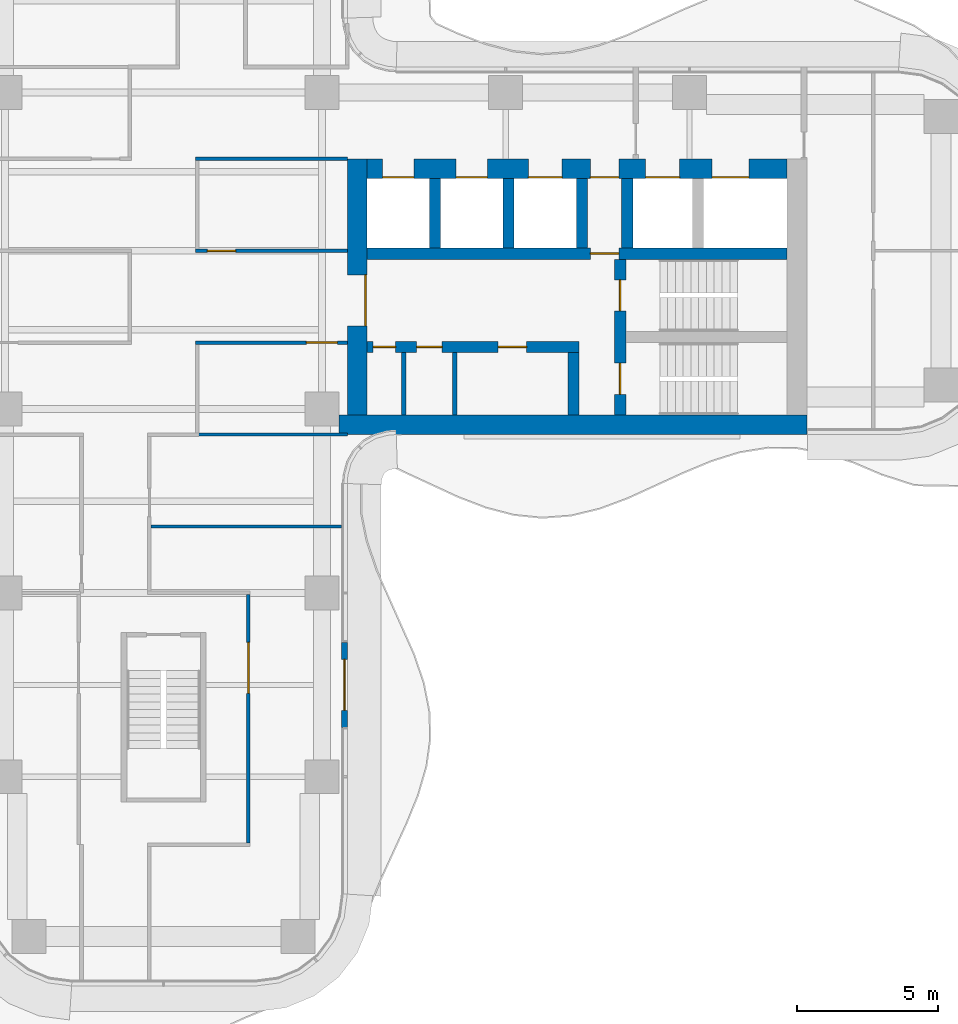
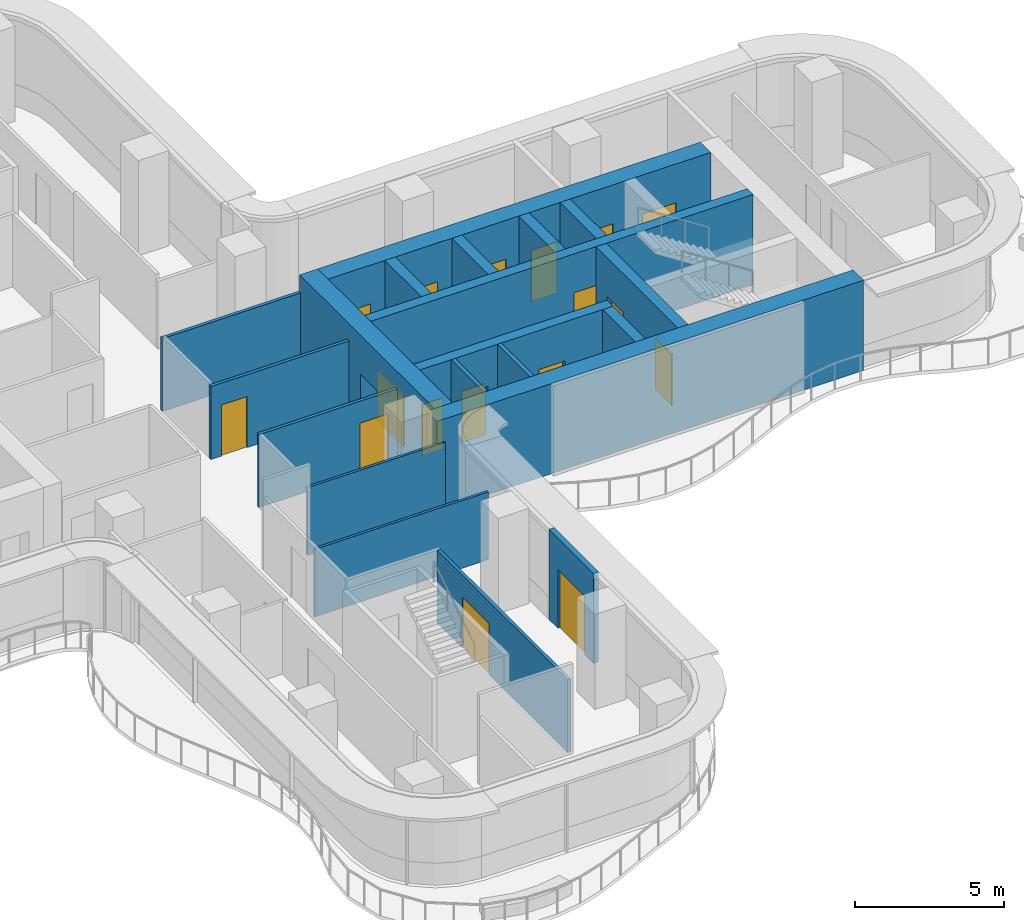
# One storey, part 14 of 18: 20 walls, 17 doors, 17 openings.
"""IFC4 building model written with IfcOpenShell, lengths in metres."""

from ifc_helpers import new_model, si_unit, direction, frame, frame_2d, origin, place, context, subcontext, project, spatial, rectangle, extrude, source, transform, mapped, material, layer, layer_set, type_object, element, fill, save


model = new_model("IFC4")

# Units and contexts
model_context = context("Model", 3, precision=1e-05, world=origin(), true_north=direction((0.0, 1.0)))
body_context = subcontext(model_context, "Body", "Model", "MODEL_VIEW")
ifc_project = project(units=[si_unit("LENGTHUNIT", "METRE"), si_unit("AREAUNIT", "SQUARE_METRE"), si_unit("VOLUMEUNIT", "CUBIC_METRE"), si_unit("PLANEANGLEUNIT", "RADIAN"), si_unit("MASSUNIT", "GRAM", prefix="KILO")], contexts=[model_context])

# Site, building, storey
site_placement = place(None, origin())
site = spatial("IfcSite", under=ifc_project, at=site_placement, CompositionType="ELEMENT")
building_placement = place(site_placement, origin())
building = spatial("IfcBuilding", under=site, at=building_placement, Name="Trellis Farm Tower", CompositionType="ELEMENT")
storey_placement = place(building_placement, frame((0.0, 0.0, 193.199951171875)))
storey = spatial("IfcBuildingStorey", under=building, at=storey_placement, Name="L42", CompositionType="ELEMENT", Elevation=193.199951171875)

# Wall, opening, door
ifc_material_1 = material(Name="Concrete C70/85", Category="concrete")
ifc_layer_1 = layer(ifc_material_1, 0.699951171875)
ifc_layer_set_1 = layer_set([ifc_layer_1], Name="CORE OUTER WALL 700 CONCRETE C70/85")
wall_type_1 = type_object("IfcWallType", Name="CORE OUTER WALL 700 CONCRETE C70/85", PredefinedType="SHEAR", material=ifc_layer_set_1)
shared_shape_1 = source(origin(), body_context, "Body", "SweptSolid", [
    extrude(rectangle(XDim=9.050048828125, YDim=0.699951171875, at=frame_2d((4.52490234375, 0.0))), origin(), (0.0, 0.0, 1.0), 3.699951171875),
])
wall_1_placement = place(storey_placement, frame((6.85009765625, -5.800048828125, 0.0), z_axis=(0.0, 0.0, 1.0), x_axis=(0.0, 1.0, 0.0)))
wall_1 = element("IfcWall", 1, at=wall_1_placement, inside=storey, type_object=wall_type_1, Name="Core wall", PredefinedType="SHEAR", context=body_context, shape_type="MappedRepresentation", body=[
    mapped(shared_shape_1, transform((0.0, 0.0, 0.0))),
])
shared_shape_2 = source(origin(), body_context, "Body", "SweptSolid", [
    extrude(rectangle(XDim=1.800048828125, YDim=2.10009765625, at=frame_2d((0.89990234375, 1.050048828125))), frame((0.0, 0.360107421875, 0.0), z_axis=(0.0, -1.0, 0.0), x_axis=(1.0, 0.0, 0.0)), (0.0, 0.0, 1.0), 0.72021484375),
])
opening_1_placement = place(wall_1_placement, frame((3.14990234375, 0.0, 0.0)))
opening_1 = element("IfcOpeningElement", 2, at=opening_1_placement, cuts=wall_1, Name="Opening DC1", PredefinedType="OPENING", context=body_context, shape_type="MappedRepresentation", body=[
    mapped(shared_shape_2, transform((0.0, 0.0, 0.0))),
])
ifc_material_2 = material(Name="Steel", Category="steel")
door_type_1 = type_object("IfcDoorType", Name="CORE FIRE DOOR DOUBLE 1800 X 2100", OperationType="DOUBLE_DOOR_SINGLE_SWING", PredefinedType="DOOR", material=ifc_material_2)
shared_shape_3 = source(origin(), body_context, "Body", "SweptSolid", [
    extrude(rectangle(XDim=1.800048828125, YDim=2.10009765625, at=frame_2d((0.89990234375, 1.050048828125))), frame((0.0, -0.27490234375, 0.0), z_axis=(0.0, -1.0, 0.0), x_axis=(1.0, 0.0, 0.0)), (0.0, 0.0, 1.0), 0.050048828125),
])
door_1_placement = place(opening_1_placement, origin())
door_1 = element("IfcDoor", 3, at=door_1_placement, inside=storey, type_object=door_type_1, Name="Core door", OperationType="DOUBLE_DOOR_SINGLE_SWING", OverallHeight=2.10009765625, OverallWidth=1.800048828125, PredefinedType="DOOR", context=body_context, shape_type="MappedRepresentation", body=[
    mapped(shared_shape_3, transform((0.0, 0.0, 0.0))),
])
fill(opening_1, door_1)

# Walls
ifc_layer_2 = layer(ifc_material_1, 0.39990234375)
ifc_layer_set_2 = layer_set([ifc_layer_2], Name="CORE INNER WALL 400 CONCRETE C70/85")
wall_type_2 = type_object("IfcWallType", Name="CORE INNER WALL 400 CONCRETE C70/85", PredefinedType="SHEAR", material=ifc_layer_set_2)
shared_shape_4 = source(origin(), body_context, "Body", "SweptSolid", [
    extrude(rectangle(XDim=2.449951171875, YDim=0.39990234375, at=frame_2d((1.22509765625, 0.0))), origin(), (0.0, 0.0, 1.0), 3.699951171875),
])
for number, where, z_axis, x_axis, name in (
    (4, (9.60009765625, 0.10009765625, 0.0), (0.0, 0.0, 1.0), (0.0, 1.0, 0.0), "Core wall"),
    (5, (12.199951171875, 0.10009765625, 0.0), (0.0, 0.0, 1.0), (0.0, 1.0, 0.0), "Core wall"),
    (6, (14.800048828125, 0.10009765625, 0.0), (0.0, 0.0, 1.0), (0.0, 1.0, 0.0), "Core wall"),
    (7, (16.39990234375, 0.10009765625, 0.0), (0.0, 0.0, 1.0), (0.0, 1.0, 0.0), "Core wall"),
):
    element("IfcWall", number, at=place(storey_placement, frame(where, z_axis=z_axis, x_axis=x_axis)), inside=storey, type_object=wall_type_2, Name=name, PredefinedType="SHEAR", context=body_context, shape_type="MappedRepresentation", body=[
        mapped(shared_shape_4, transform((0.0, 0.0, 0.0))),
    ])
shared_shape_5 = source(origin(), body_context, "Body", "SweptSolid", [
    extrude(rectangle(XDim=16.550048828125, YDim=0.699951171875, at=frame_2d((8.27490234375, 0.0))), origin(), (0.0, 0.0, 1.0), 3.699951171875),
])
wall_2_placement = place(storey_placement, frame((6.199951171875, -6.14990234375, 0.0), z_axis=(0.0, 0.0, 1.0), x_axis=(1.0, 0.0, 0.0)))
element("IfcWall", 8, at=wall_2_placement, inside=storey, type_object=wall_type_1, Name="Core wall", PredefinedType="SHEAR", context=body_context, shape_type="MappedRepresentation", body=[
    mapped(shared_shape_5, transform((0.0, 0.0, 0.0))),
])

# Wall, openings, doors
shared_shape_6 = source(origin(), body_context, "Body", "SweptSolid", [
    extrude(rectangle(XDim=14.85009765625, YDim=0.699951171875, at=frame_2d((7.425048828125, 0.0))), origin(), (0.0, 0.0, 1.0), 3.699951171875),
])
wall_3_placement = place(storey_placement, frame((7.199951171875, 2.89990234375, 0.0), z_axis=(0.0, 0.0, 1.0), x_axis=(1.0, 0.0, 0.0)))
wall_3 = element("IfcWall", 9, at=wall_3_placement, inside=storey, type_object=wall_type_1, Name="Core wall", PredefinedType="SHEAR", context=body_context, shape_type="MappedRepresentation", body=[
    mapped(shared_shape_6, transform((0.0, 0.0, 0.0))),
])
shared_shape_7 = source(origin(), body_context, "Body", "SweptSolid", [
    extrude(rectangle(XDim=1.10009765625, YDim=2.10009765625, at=frame_2d((0.550048828125, 1.050048828125))), frame((0.0, 0.360107421875, 0.0), z_axis=(0.0, -1.0, 0.0), x_axis=(1.0, 0.0, 0.0)), (0.0, 0.0, 1.0), 0.72021484375),
])
opening_2_placement = place(wall_3_placement, frame((0.550048828125, 0.0, 0.0)))
opening_2 = element("IfcOpeningElement", 10, at=opening_2_placement, cuts=wall_3, Name="Opening LD4", PredefinedType="OPENING", context=body_context, shape_type="MappedRepresentation", body=[
    mapped(shared_shape_7, transform((0.0, 0.0, 0.0))),
])
opening_3_placement = place(wall_3_placement, frame((3.14990234375, 0.0, 0.0)))
opening_3 = element("IfcOpeningElement", 11, at=opening_3_placement, cuts=wall_3, Name="Opening LD5", PredefinedType="OPENING", context=body_context, shape_type="MappedRepresentation", body=[
    mapped(shared_shape_7, transform((0.0, 0.0, 0.0))),
])
shared_shape_8 = source(origin(), body_context, "Body", "SweptSolid", [
    extrude(rectangle(XDim=1.199951171875, YDim=2.10009765625, at=frame_2d((0.60009765625, 1.050048828125))), frame((0.0, 0.360107421875, 0.0), z_axis=(0.0, -1.0, 0.0), x_axis=(1.0, 0.0, 0.0)), (0.0, 0.0, 1.0), 0.72021484375),
])
opening_4_placement = place(wall_3_placement, frame((5.699951171875, 0.0, 0.0)))
opening_4 = element("IfcOpeningElement", 12, at=opening_4_placement, cuts=wall_3, Name="Opening LD6", PredefinedType="OPENING", context=body_context, shape_type="MappedRepresentation", body=[
    mapped(shared_shape_8, transform((0.0, 0.0, 0.0))),
])
shared_shape_9 = source(origin(), body_context, "Body", "SweptSolid", [
    extrude(rectangle(XDim=1.300048828125, YDim=2.10009765625, at=frame_2d((0.64990234375, 1.050048828125))), frame((0.0, 0.360107421875, 0.0), z_axis=(0.0, -1.0, 0.0), x_axis=(1.0, 0.0, 0.0)), (0.0, 0.0, 1.0), 0.72021484375),
])
opening_5_placement = place(wall_3_placement, frame((12.199951171875, 0.0, 0.0)))
opening_5 = element("IfcOpeningElement", 13, at=opening_5_placement, cuts=wall_3, Name="Opening LD7", PredefinedType="OPENING", context=body_context, shape_type="MappedRepresentation", body=[
    mapped(shared_shape_9, transform((0.0, 0.0, 0.0))),
])
opening_6_placement = place(wall_3_placement, frame((9.85009765625, 0.0, 0.0)))
opening_6 = element("IfcOpeningElement", 14, at=opening_6_placement, cuts=wall_3, Name="Opening LD8", PredefinedType="OPENING", context=body_context, shape_type="MappedRepresentation", body=[
    mapped(shared_shape_8, transform((0.0, 0.0, 0.0))),
])
shared_shape_10 = source(origin(), body_context, "Body", "SweptSolid", [
    extrude(rectangle(XDim=1.0, YDim=2.10009765625, at=frame_2d((0.5, 1.050048828125))), frame((0.0, 0.360107421875, 0.0), z_axis=(0.0, -1.0, 0.0), x_axis=(1.0, 0.0, 0.0)), (0.0, 0.0, 1.0), 0.72021484375),
])
opening_7_placement = place(wall_3_placement, frame((7.89990234375, 0.0, 0.0)))
opening_7 = element("IfcOpeningElement", 15, at=opening_7_placement, cuts=wall_3, Name="Opening DC6", PredefinedType="OPENING", context=body_context, shape_type="MappedRepresentation", body=[
    mapped(shared_shape_10, transform((0.0, 0.0, 0.0))),
])
door_type_2 = type_object("IfcDoorType", Name="CORE FIRE DOOR 1000 X 2100", OperationType="NOTDEFINED", PredefinedType="DOOR", material=ifc_material_2)
shared_shape_11 = source(origin(), body_context, "Body", "SweptSolid", [
    extrude(rectangle(XDim=1.0, YDim=2.10009765625, at=frame_2d((0.5, 1.050048828125))), frame((0.0, -0.27490234375, 0.0), z_axis=(0.0, -1.0, 0.0), x_axis=(1.0, 0.0, 0.0)), (0.0, 0.0, 1.0), 0.050048828125),
])
door_2_placement = place(opening_7_placement, origin())
door_2 = element("IfcDoor", 16, at=door_2_placement, inside=storey, type_object=door_type_2, Name="Core door", OperationType="SINGLE_SWING_LEFT", OverallHeight=2.10009765625, OverallWidth=1.0, PredefinedType="DOOR", context=body_context, shape_type="MappedRepresentation", body=[
    mapped(shared_shape_11, transform((0.0, 0.0, 0.0))),
])
fill(opening_7, door_2)
ifc_material_3 = material(Name="Stainless steel", Category="steel")
door_type_3 = type_object("IfcDoorType", Name="LIFT LANDING DOOR 1300 X 2100", OperationType="DOUBLE_DOOR_SLIDING", PredefinedType="DOOR", material=ifc_material_3)
shared_shape_12 = source(origin(), body_context, "Body", "SweptSolid", [
    extrude(rectangle(XDim=1.300048828125, YDim=2.10009765625, at=frame_2d((0.64990234375, 1.050048828125))), frame((0.0, -0.27490234375, 0.0), z_axis=(0.0, -1.0, 0.0), x_axis=(1.0, 0.0, 0.0)), (0.0, 0.0, 1.0), 0.050048828125),
])
door_3_placement = place(opening_5_placement, origin())
door_3 = element("IfcDoor", 17, at=door_3_placement, inside=storey, type_object=door_type_3, Name="Lift landing door", OperationType="DOUBLE_DOOR_SLIDING", OverallHeight=2.10009765625, OverallWidth=1.300048828125, PredefinedType="DOOR", context=body_context, shape_type="MappedRepresentation", body=[
    mapped(shared_shape_12, transform((0.0, 0.0, 0.0))),
])
fill(opening_5, door_3)
door_type_4 = type_object("IfcDoorType", Name="LIFT LANDING DOOR 1200 X 2100", OperationType="DOUBLE_DOOR_SLIDING", PredefinedType="DOOR", material=ifc_material_3)
shared_shape_13 = source(origin(), body_context, "Body", "SweptSolid", [
    extrude(rectangle(XDim=1.199951171875, YDim=2.10009765625, at=frame_2d((0.60009765625, 1.050048828125))), frame((0.0, -0.27490234375, 0.0), z_axis=(0.0, -1.0, 0.0), x_axis=(1.0, 0.0, 0.0)), (0.0, 0.0, 1.0), 0.050048828125),
])
door_4_placement = place(opening_4_placement, origin())
door_4 = element("IfcDoor", 18, at=door_4_placement, inside=storey, type_object=door_type_4, Name="Lift landing door", OperationType="DOUBLE_DOOR_SLIDING", OverallHeight=2.10009765625, OverallWidth=1.199951171875, PredefinedType="DOOR", context=body_context, shape_type="MappedRepresentation", body=[
    mapped(shared_shape_13, transform((0.0, 0.0, 0.0))),
])
fill(opening_4, door_4)
door_5_placement = place(opening_6_placement, origin())
door_5 = element("IfcDoor", 19, at=door_5_placement, inside=storey, type_object=door_type_4, Name="Lift landing door", OperationType="DOUBLE_DOOR_SLIDING", OverallHeight=2.10009765625, OverallWidth=1.199951171875, PredefinedType="DOOR", context=body_context, shape_type="MappedRepresentation", body=[
    mapped(shared_shape_13, transform((0.0, 0.0, 0.0))),
])
fill(opening_6, door_5)
door_type_5 = type_object("IfcDoorType", Name="LIFT LANDING DOOR 1100 X 2100", OperationType="DOUBLE_DOOR_SLIDING", PredefinedType="DOOR", material=ifc_material_3)
shared_shape_14 = source(origin(), body_context, "Body", "SweptSolid", [
    extrude(rectangle(XDim=1.10009765625, YDim=2.10009765625, at=frame_2d((0.550048828125, 1.050048828125))), frame((0.0, -0.27490234375, 0.0), z_axis=(0.0, -1.0, 0.0), x_axis=(1.0, 0.0, 0.0)), (0.0, 0.0, 1.0), 0.050048828125),
])
door_6_placement = place(opening_2_placement, origin())
door_6 = element("IfcDoor", 20, at=door_6_placement, inside=storey, type_object=door_type_5, Name="Lift landing door", OperationType="DOUBLE_DOOR_SLIDING", OverallHeight=2.10009765625, OverallWidth=1.10009765625, PredefinedType="DOOR", context=body_context, shape_type="MappedRepresentation", body=[
    mapped(shared_shape_14, transform((0.0, 0.0, 0.0))),
])
fill(opening_2, door_6)
door_7_placement = place(opening_3_placement, origin())
door_7 = element("IfcDoor", 21, at=door_7_placement, inside=storey, type_object=door_type_5, Name="Lift landing door", OperationType="DOUBLE_DOOR_SLIDING", OverallHeight=2.10009765625, OverallWidth=1.10009765625, PredefinedType="DOOR", context=body_context, shape_type="MappedRepresentation", body=[
    mapped(shared_shape_14, transform((0.0, 0.0, 0.0))),
])
fill(opening_3, door_7)

shared_shape_15 = source(origin(), body_context, "Body", "SweptSolid", [
    extrude(rectangle(XDim=7.5, YDim=0.39990234375, at=frame_2d((3.75, 0.0))), origin(), (0.0, 0.0, 1.0), 3.699951171875),
])
wall_4_placement = place(storey_placement, frame((7.199951171875, -3.39990234375, 0.0), z_axis=(0.0, 0.0, 1.0), x_axis=(1.0, 0.0, 0.0)))
wall_4 = element("IfcWall", 22, at=wall_4_placement, inside=storey, type_object=wall_type_2, Name="Core wall", PredefinedType="SHEAR", context=body_context, shape_type="MappedRepresentation", body=[
    mapped(shared_shape_15, transform((0.0, 0.0, 0.0))),
])
shared_shape_16 = source(origin(), body_context, "Body", "SweptSolid", [
    extrude(rectangle(XDim=0.800048828125, YDim=2.10009765625, at=frame_2d((0.39990234375, 1.050048828125))), frame((0.0, 0.2099609375, 0.0), z_axis=(0.0, -1.0, 0.0), x_axis=(1.0, 0.0, 0.0)), (0.0, 0.0, 1.0), 0.419921875),
])
opening_8_placement = place(wall_4_placement, frame((0.21240234375, 0.0, 0.0)))
opening_8 = element("IfcOpeningElement", 23, at=opening_8_placement, cuts=wall_4, Name="Opening DC51", PredefinedType="OPENING", context=body_context, shape_type="MappedRepresentation", body=[
    mapped(shared_shape_16, transform((0.0, 0.0, 0.0))),
])
shared_shape_17 = source(origin(), body_context, "Body", "SweptSolid", [
    extrude(rectangle(XDim=0.89990234375, YDim=2.10009765625, at=frame_2d((0.449951171875, 1.050048828125))), frame((0.0, 0.2099609375, 0.0), z_axis=(0.0, -1.0, 0.0), x_axis=(1.0, 0.0, 0.0)), (0.0, 0.0, 1.0), 0.419921875),
])
opening_9_placement = place(wall_4_placement, frame((1.75, 0.0, 0.0)))
opening_9 = element("IfcOpeningElement", 24, at=opening_9_placement, cuts=wall_4, Name="Opening DC60", PredefinedType="OPENING", context=body_context, shape_type="MappedRepresentation", body=[
    mapped(shared_shape_17, transform((0.0, 0.0, 0.0))),
])
shared_shape_18 = source(origin(), body_context, "Body", "SweptSolid", [
    extrude(rectangle(XDim=1.0, YDim=2.10009765625, at=frame_2d((0.5, 1.050048828125))), frame((0.0, 0.2099609375, 0.0), z_axis=(0.0, -1.0, 0.0), x_axis=(1.0, 0.0, 0.0)), (0.0, 0.0, 1.0), 0.419921875),
])
opening_10_placement = place(wall_4_placement, frame((4.637451171875, 0.0, 0.0)))
opening_10 = element("IfcOpeningElement", 25, at=opening_10_placement, cuts=wall_4, Name="Opening DC67", PredefinedType="OPENING", context=body_context, shape_type="MappedRepresentation", body=[
    mapped(shared_shape_18, transform((0.0, 0.0, 0.0))),
])
shared_shape_19 = source(origin(), body_context, "Body", "SweptSolid", [
    extrude(rectangle(XDim=1.0, YDim=2.10009765625, at=frame_2d((0.5, 1.050048828125))), frame((0.0, 0.02490234375, 0.0), z_axis=(0.0, -1.0, 0.0), x_axis=(1.0, 0.0, 0.0)), (0.0, 0.0, 1.0), 0.050048828125),
])
door_8_placement = place(opening_10_placement, origin())
door_8 = element("IfcDoor", 26, at=door_8_placement, inside=storey, type_object=door_type_2, Name="Core door", OperationType="SINGLE_SWING_LEFT", OverallHeight=2.10009765625, OverallWidth=1.0, PredefinedType="DOOR", context=body_context, shape_type="MappedRepresentation", body=[
    mapped(shared_shape_19, transform((0.0, 0.0, 0.0))),
])
fill(opening_10, door_8)
door_type_6 = type_object("IfcDoorType", Name="CORE FIRE DOOR 900 X 2100", OperationType="NOTDEFINED", PredefinedType="DOOR", material=ifc_material_2)
shared_shape_20 = source(origin(), body_context, "Body", "SweptSolid", [
    extrude(rectangle(XDim=0.89990234375, YDim=2.10009765625, at=frame_2d((0.449951171875, 1.050048828125))), frame((0.0, 0.02490234375, 0.0), z_axis=(0.0, -1.0, 0.0), x_axis=(1.0, 0.0, 0.0)), (0.0, 0.0, 1.0), 0.050048828125),
])
door_9_placement = place(opening_9_placement, origin())
door_9 = element("IfcDoor", 27, at=door_9_placement, inside=storey, type_object=door_type_6, Name="Core door", OperationType="SINGLE_SWING_RIGHT", OverallHeight=2.10009765625, OverallWidth=0.89990234375, PredefinedType="DOOR", context=body_context, shape_type="MappedRepresentation", body=[
    mapped(shared_shape_20, transform((0.0, 0.0, 0.0))),
])
fill(opening_9, door_9)
door_type_7 = type_object("IfcDoorType", Name="CORE FIRE DOOR 800 X 2100", OperationType="NOTDEFINED", PredefinedType="DOOR", material=ifc_material_2)
shared_shape_21 = source(origin(), body_context, "Body", "SweptSolid", [
    extrude(rectangle(XDim=0.800048828125, YDim=2.10009765625, at=frame_2d((0.39990234375, 1.050048828125))), frame((0.0, 0.02490234375, 0.0), z_axis=(0.0, -1.0, 0.0), x_axis=(1.0, 0.0, 0.0)), (0.0, 0.0, 1.0), 0.050048828125),
])
door_10_placement = place(opening_8_placement, origin())
door_10 = element("IfcDoor", 28, at=door_10_placement, inside=storey, type_object=door_type_7, Name="Core door", OperationType="SINGLE_SWING_LEFT", OverallHeight=2.10009765625, OverallWidth=0.800048828125, PredefinedType="DOOR", context=body_context, shape_type="MappedRepresentation", body=[
    mapped(shared_shape_21, transform((0.0, 0.0, 0.0))),
])
fill(opening_8, door_10)

# Wall, opening, door
shared_shape_22 = source(origin(), body_context, "Body", "SweptSolid", [
    extrude(rectangle(XDim=14.85009765625, YDim=0.39990234375, at=frame_2d((7.425048828125, 0.0))), origin(), (0.0, 0.0, 1.0), 3.699951171875),
])
wall_5_placement = place(storey_placement, frame((7.199951171875, -0.10009765625, 0.0), z_axis=(0.0, 0.0, 1.0), x_axis=(1.0, 0.0, 0.0)))
wall_5 = element("IfcWall", 29, at=wall_5_placement, inside=storey, type_object=wall_type_2, Name="Core wall", PredefinedType="SHEAR", context=body_context, shape_type="MappedRepresentation", body=[
    mapped(shared_shape_22, transform((0.0, 0.0, 0.0))),
])
opening_11_placement = place(wall_5_placement, frame((7.89990234375, 0.0, 0.0)))
opening_11 = element("IfcOpeningElement", 30, at=opening_11_placement, cuts=wall_5, Name="Opening DC5", PredefinedType="OPENING", context=body_context, shape_type="MappedRepresentation", body=[
    mapped(shared_shape_18, transform((0.0, 0.0, 0.0))),
])
door_11_placement = place(opening_11_placement, origin())
door_11 = element("IfcDoor", 31, at=door_11_placement, inside=storey, type_object=door_type_2, Name="Core door", OperationType="SINGLE_SWING_RIGHT", OverallHeight=2.10009765625, OverallWidth=1.0, PredefinedType="DOOR", context=body_context, shape_type="MappedRepresentation", body=[
    mapped(shared_shape_19, transform((0.0, 0.0, 0.0))),
])
fill(opening_11, door_11)

# Wall, openings, doors
shared_shape_23 = source(origin(), body_context, "Body", "SweptSolid", [
    extrude(rectangle(XDim=5.5, YDim=0.39990234375, at=frame_2d((2.75, 0.0))), origin(), (0.0, 0.0, 1.0), 3.699951171875),
])
wall_6_placement = place(storey_placement, frame((16.14990234375, -5.800048828125, 0.0), z_axis=(0.0, 0.0, 1.0), x_axis=(0.0, 1.0, 0.0)))
wall_6 = element("IfcWall", 32, at=wall_6_placement, inside=storey, type_object=wall_type_2, Name="Core wall", PredefinedType="SHEAR", context=body_context, shape_type="MappedRepresentation", body=[
    mapped(shared_shape_23, transform((0.0, 0.0, 0.0))),
])
shared_shape_24 = source(origin(), body_context, "Body", "SweptSolid", [
    extrude(rectangle(XDim=1.10009765625, YDim=2.10009765625, at=frame_2d((0.550048828125, 1.050048828125))), frame((0.0, 0.2099609375, 0.0), z_axis=(0.0, -1.0, 0.0), x_axis=(1.0, 0.0, 0.0)), (0.0, 0.0, 1.0), 0.419921875),
])
opening_12_placement = place(wall_6_placement, frame((0.72509765625, 0.0, 0.0)))
opening_12 = element("IfcOpeningElement", 33, at=opening_12_placement, cuts=wall_6, Name="Opening DC2", PredefinedType="OPENING", context=body_context, shape_type="MappedRepresentation", body=[
    mapped(shared_shape_24, transform((0.0, 0.0, 0.0))),
])
opening_13_placement = place(wall_6_placement, frame((3.675048828125, 0.0, 0.0)))
opening_13 = element("IfcOpeningElement", 34, at=opening_13_placement, cuts=wall_6, Name="Opening DC3", PredefinedType="OPENING", context=body_context, shape_type="MappedRepresentation", body=[
    mapped(shared_shape_24, transform((0.0, 0.0, 0.0))),
])
door_type_8 = type_object("IfcDoorType", Name="CORE FIRE DOOR 1100 X 2100", OperationType="NOTDEFINED", PredefinedType="DOOR", material=ifc_material_2)
shared_shape_25 = source(origin(), body_context, "Body", "SweptSolid", [
    extrude(rectangle(XDim=1.10009765625, YDim=2.10009765625, at=frame_2d((0.550048828125, 1.050048828125))), frame((0.0, 0.02490234375, 0.0), z_axis=(0.0, -1.0, 0.0), x_axis=(1.0, 0.0, 0.0)), (0.0, 0.0, 1.0), 0.050048828125),
])
door_12_placement = place(opening_12_placement, origin())
door_12 = element("IfcDoor", 35, at=door_12_placement, inside=storey, type_object=door_type_8, Name="Core door", OperationType="SINGLE_SWING_RIGHT", OverallHeight=2.10009765625, OverallWidth=1.10009765625, PredefinedType="DOOR", context=body_context, shape_type="MappedRepresentation", body=[
    mapped(shared_shape_25, transform((0.0, 0.0, 0.0))),
])
fill(opening_12, door_12)
door_13_placement = place(opening_13_placement, origin())
door_13 = element("IfcDoor", 36, at=door_13_placement, inside=storey, type_object=door_type_8, Name="Core door", OperationType="SINGLE_SWING_LEFT", OverallHeight=2.10009765625, OverallWidth=1.10009765625, PredefinedType="DOOR", context=body_context, shape_type="MappedRepresentation", body=[
    mapped(shared_shape_25, transform((0.0, 0.0, 0.0))),
])
fill(opening_13, door_13)

# Walls
shared_shape_26 = source(origin(), body_context, "Body", "SweptSolid", [
    extrude(rectangle(XDim=2.199951171875, YDim=0.39990234375, at=frame_2d((1.10009765625, 0.0))), origin(), (0.0, 0.0, 1.0), 3.699951171875),
])
wall_7_placement = place(storey_placement, frame((14.5, -5.800048828125, 0.0), z_axis=(0.0, 0.0, 1.0), x_axis=(0.0, 1.0, 0.0)))
element("IfcWall", 37, at=wall_7_placement, inside=storey, type_object=wall_type_2, Name="Core wall", PredefinedType="SHEAR", context=body_context, shape_type="MappedRepresentation", body=[
    mapped(shared_shape_26, transform((0.0, 0.0, 0.0))),
])
ifc_material_4 = material(Name="Masonry blockwork", Category="masonry")
ifc_layer_3 = layer(ifc_material_4, 0.14990234375)
ifc_layer_set_3 = layer_set([ifc_layer_3], Name="CORE PARTITION 150 BLOCKWORK")
wall_type_3 = type_object("IfcWallType", Name="CORE PARTITION 150 BLOCKWORK", PredefinedType="PARTITIONING", material=ifc_layer_set_3)
shared_shape_27 = source(origin(), body_context, "Body", "SweptSolid", [
    extrude(rectangle(XDim=2.199951171875, YDim=0.14990234375, at=frame_2d((1.10009765625, 0.0))), origin(), (0.0, 0.0, 1.0), 3.699951171875),
])
for number, where, z_axis, x_axis, name in (
    (38, (8.5, -5.800048828125, 0.0), (0.0, 0.0, 1.0), (0.0, 1.0, 0.0), "Core room partition"),
    (39, (10.300048828125, -5.800048828125, 0.0), (0.0, 0.0, 1.0), (0.0, 1.0, 0.0), "Core room partition"),
):
    element("IfcWall", number, at=place(storey_placement, frame(where, z_axis=z_axis, x_axis=x_axis)), inside=storey, type_object=wall_type_3, Name=name, PredefinedType="PARTITIONING", context=body_context, shape_type="MappedRepresentation", body=[
        mapped(shared_shape_27, transform((0.0, 0.0, 0.0))),
    ])

# Wall, opening, door
ifc_material_5 = material(Name="Sandstone faced insulated wall", Category="masonry")
ifc_layer_4 = layer(ifc_material_5, 0.199951171875)
ifc_layer_set_4 = layer_set([ifc_layer_4], Name="EXTERNAL INFILL WALL 200")
wall_type_4 = type_object("IfcWallType", Name="EXTERNAL INFILL WALL 200", PredefinedType="SOLIDWALL", material=ifc_layer_set_4)
shared_shape_28 = source(origin(), body_context, "Body", "SweptSolid", [
    extrude(rectangle(XDim=3.0, YDim=0.199951171875, at=frame_2d((1.5, 0.0))), origin(), (0.0, 0.0, 1.0), 3.699951171875),
])
wall_8_placement = place(storey_placement, frame((6.39990234375, -16.85009765625, 0.0), z_axis=(0.0, 0.0, 1.0), x_axis=(0.0, 1.0, 0.0)))
wall_8 = element("IfcWall", 40, at=wall_8_placement, inside=storey, type_object=wall_type_4, Name="EW1 01", PredefinedType="SOLIDWALL", context=body_context, shape_type="MappedRepresentation", body=[
    mapped(shared_shape_28, transform((0.0, 0.0, 0.0))),
])
shared_shape_29 = source(origin(), body_context, "Body", "SweptSolid", [
    extrude(rectangle(XDim=1.800048828125, YDim=2.39990234375, at=frame_2d((0.89990234375, 1.199951171875))), frame((0.0, 0.110107421875, 0.0), z_axis=(0.0, -1.0, 0.0), x_axis=(1.0, 0.0, 0.0)), (0.0, 0.0, 1.0), 0.22021484375),
])
opening_14_placement = place(wall_8_placement, frame((0.60009765625, 0.0, 0.0)))
opening_14 = element("IfcOpeningElement", 41, at=opening_14_placement, cuts=wall_8, Name="Opening ED1", PredefinedType="OPENING", context=body_context, shape_type="MappedRepresentation", body=[
    mapped(shared_shape_29, transform((0.0, 0.0, 0.0))),
])
ifc_material_6 = material(Name="Aluminium framed glazed door", Category="aluminium")
door_type_9 = type_object("IfcDoorType", Name="BALCONY DOOR 1800x2400", OperationType="DOUBLE_DOOR_SINGLE_SWING", PredefinedType="DOOR", material=ifc_material_6)
shared_shape_30 = source(origin(), body_context, "Body", "SweptSolid", [
    extrude(rectangle(XDim=1.800048828125, YDim=2.39990234375, at=frame_2d((0.89990234375, 1.199951171875))), frame((0.0, 0.02490234375, 0.0), z_axis=(0.0, -1.0, 0.0), x_axis=(1.0, 0.0, 0.0)), (0.0, 0.0, 1.0), 0.050048828125),
])
door_14_placement = place(opening_14_placement, origin())
door_14 = element("IfcDoor", 42, at=door_14_placement, inside=storey, type_object=door_type_9, Name="Balcony door", OperationType="DOUBLE_DOOR_SINGLE_SWING", OverallHeight=2.39990234375, OverallWidth=1.800048828125, PredefinedType="DOOR", context=body_context, shape_type="MappedRepresentation", body=[
    mapped(shared_shape_30, transform((0.0, 0.0, 0.0))),
])
fill(opening_14, door_14)

ifc_material_7 = material(Name="Plasterboard on steel studs, mineral wool", Category="steel")
ifc_layer_5 = layer(ifc_material_7, 0.125)
ifc_layer_set_5 = layer_set([ifc_layer_5], Name="PARTITION 125 STUD EI 60")
wall_type_5 = type_object("IfcWallType", Name="PARTITION 125 STUD EI 60", PredefinedType="PARTITIONING", material=ifc_layer_set_5)
shared_shape_31 = source(origin(), body_context, "Body", "SweptSolid", [
    extrude(rectangle(XDim=5.362548828125, YDim=0.125, at=frame_2d((2.68115234375, 0.0))), origin(), (0.0, 0.0, 1.0), 2.99658203125),
])
wall_9_placement = place(storey_placement, frame((6.5, -3.25, 0.0), z_axis=(0.0, 0.0, 1.0), x_axis=(-1.0, 0.0, 0.0)))
wall_9 = element("IfcWall", 43, at=wall_9_placement, inside=storey, type_object=wall_type_5, Name="Partition PW1", PredefinedType="PARTITIONING", context=body_context, shape_type="MappedRepresentation", body=[
    mapped(shared_shape_31, transform((0.0, 0.0, 0.0))),
])
shared_shape_32 = source(origin(), body_context, "Body", "SweptSolid", [
    extrude(rectangle(XDim=1.10009765625, YDim=2.10009765625, at=frame_2d((0.550048828125, 1.050048828125))), frame((0.0, 0.072509765625, 0.0), z_axis=(0.0, -1.0, 0.0), x_axis=(1.0, 0.0, 0.0)), (0.0, 0.0, 1.0), 0.14501953125),
])
opening_15_placement = place(wall_9_placement, frame((0.35009765625, 0.0, 0.0)))
opening_15 = element("IfcOpeningElement", 44, at=opening_15_placement, cuts=wall_9, Name="Opening D501", PredefinedType="OPENING", context=body_context, shape_type="MappedRepresentation", body=[
    mapped(shared_shape_32, transform((0.0, 0.0, 0.0))),
])
ifc_material_8 = material(Name="Fire-rated timber door leaf in a hollow metal frame", Category="wood")
door_type_10 = type_object("IfcDoorType", Name="DOOR 1100x2100 FD30S", OperationType="NOTDEFINED", PredefinedType="DOOR", material=ifc_material_8)
door_15_placement = place(opening_15_placement, origin())
door_15 = element("IfcDoor", 45, at=door_15_placement, inside=storey, type_object=door_type_10, Name="Door D501", OperationType="SINGLE_SWING_LEFT", OverallHeight=2.10009765625, OverallWidth=1.10009765625, PredefinedType="DOOR", context=body_context, shape_type="MappedRepresentation", body=[
    mapped(shared_shape_25, transform((0.0, 0.0, 0.0))),
])
fill(opening_15, door_15)

wall_10_placement = place(storey_placement, frame((6.5, 0.0, 0.0), z_axis=(0.0, 0.0, 1.0), x_axis=(-1.0, 0.0, 0.0)))
wall_10 = element("IfcWall", 46, at=wall_10_placement, inside=storey, type_object=wall_type_5, Name="Partition PW1", PredefinedType="PARTITIONING", context=body_context, shape_type="MappedRepresentation", body=[
    mapped(shared_shape_31, transform((0.0, 0.0, 0.0))),
])
shared_shape_33 = source(origin(), body_context, "Body", "SweptSolid", [
    extrude(rectangle(XDim=1.0, YDim=2.10009765625, at=frame_2d((0.5, 1.050048828125))), frame((0.0, 0.072509765625, 0.0), z_axis=(0.0, -1.0, 0.0), x_axis=(1.0, 0.0, 0.0)), (0.0, 0.0, 1.0), 0.14501953125),
])
opening_16_placement = place(wall_10_placement, frame((3.949951171875, 0.0, 0.0)))
opening_16 = element("IfcOpeningElement", 47, at=opening_16_placement, cuts=wall_10, Name="Opening D106", PredefinedType="OPENING", context=body_context, shape_type="MappedRepresentation", body=[
    mapped(shared_shape_33, transform((0.0, 0.0, 0.0))),
])
door_type_11 = type_object("IfcDoorType", Name="DOOR 1000x2100 FD30S", OperationType="NOTDEFINED", PredefinedType="DOOR", material=ifc_material_8)
door_16_placement = place(opening_16_placement, origin())
door_16 = element("IfcDoor", 48, at=door_16_placement, inside=storey, type_object=door_type_11, Name="Door D106", OperationType="SINGLE_SWING_RIGHT", OverallHeight=2.10009765625, OverallWidth=1.0, PredefinedType="DOOR", context=body_context, shape_type="MappedRepresentation", body=[
    mapped(shared_shape_19, transform((0.0, 0.0, 0.0))),
])
fill(opening_16, door_16)

# Walls
wall_11_placement = place(storey_placement, frame((1.137451171875, 3.25, 0.0), z_axis=(0.0, 0.0, 1.0), x_axis=(1.0, 0.0, 0.0)))
element("IfcWall", 49, at=wall_11_placement, inside=storey, type_object=wall_type_5, Name="Partition PW1", PredefinedType="PARTITIONING", context=body_context, shape_type="MappedRepresentation", body=[
    mapped(shared_shape_31, transform((0.0, 0.0, 0.0))),
])
ifc_material_9 = material(Name="Plasterboard on steel studs", Category="steel")
ifc_layer_6 = layer(ifc_material_9, 0.10009765625)
ifc_layer_set_6 = layer_set([ifc_layer_6], Name="PARTITION 100 STUD EI 30")
wall_type_6 = type_object("IfcWallType", Name="PARTITION 100 STUD EI 30", PredefinedType="PARTITIONING", material=ifc_layer_set_6)
shared_shape_34 = source(origin(), body_context, "Body", "SweptSolid", [
    extrude(rectangle(XDim=5.362548828125, YDim=0.10009765625, at=frame_2d((2.68115234375, 0.0))), origin(), (0.0, 0.0, 1.0), 2.780029296875),
])
wall_12_placement = place(storey_placement, frame((1.137451171875, -6.5, 0.0), z_axis=(0.0, 0.0, 1.0), x_axis=(1.0, 0.0, 0.0)))
element("IfcWall", 50, at=wall_12_placement, inside=storey, type_object=wall_type_6, Name="Partition PW2", PredefinedType="PARTITIONING", context=body_context, shape_type="MappedRepresentation", body=[
    mapped(shared_shape_34, transform((0.0, 0.0, 0.0))),
])

# Wall, opening, door
shared_shape_35 = source(origin(), body_context, "Body", "SweptSolid", [
    extrude(rectangle(XDim=8.77490234375, YDim=0.125, at=frame_2d((4.387451171875, 0.0))), origin(), (0.0, 0.0, 1.0), 2.99658203125),
])
wall_13_placement = place(storey_placement, frame((3.0, -12.16259765625, 0.0), z_axis=(0.0, 0.0, 1.0), x_axis=(0.0, -1.0, 0.0)))
wall_13 = element("IfcWall", 51, at=wall_13_placement, inside=storey, type_object=wall_type_5, Name="Partition PW1", PredefinedType="PARTITIONING", context=body_context, shape_type="MappedRepresentation", body=[
    mapped(shared_shape_35, transform((0.0, 0.0, 0.0))),
])
shared_shape_36 = source(origin(), body_context, "Body", "SweptSolid", [
    extrude(rectangle(XDim=1.800048828125, YDim=2.10009765625, at=frame_2d((0.89990234375, 1.050048828125))), frame((0.0, 0.072509765625, 0.0), z_axis=(0.0, -1.0, 0.0), x_axis=(1.0, 0.0, 0.0)), (0.0, 0.0, 1.0), 0.14501953125),
])
opening_17_placement = place(wall_13_placement, frame((1.6875, 0.0, 0.0)))
opening_17 = element("IfcOpeningElement", 52, at=opening_17_placement, cuts=wall_13, Name="Opening D202", PredefinedType="OPENING", context=body_context, shape_type="MappedRepresentation", body=[
    mapped(shared_shape_36, transform((0.0, 0.0, 0.0))),
])
door_type_12 = type_object("IfcDoorType", Name="DOOR PAIR 1800x2100 FD30S", OperationType="NOTDEFINED", PredefinedType="DOOR", material=ifc_material_8)
shared_shape_37 = source(origin(), body_context, "Body", "SweptSolid", [
    extrude(rectangle(XDim=1.800048828125, YDim=2.10009765625, at=frame_2d((0.89990234375, 1.050048828125))), frame((0.0, 0.02490234375, 0.0), z_axis=(0.0, -1.0, 0.0), x_axis=(1.0, 0.0, 0.0)), (0.0, 0.0, 1.0), 0.050048828125),
])
door_17_placement = place(opening_17_placement, origin())
door_17 = element("IfcDoor", 53, at=door_17_placement, inside=storey, type_object=door_type_12, Name="Door D202", OperationType="DOUBLE_DOOR_SINGLE_SWING", OverallHeight=2.10009765625, OverallWidth=1.800048828125, PredefinedType="DOOR", context=body_context, shape_type="MappedRepresentation", body=[
    mapped(shared_shape_37, transform((0.0, 0.0, 0.0))),
])
fill(opening_17, door_17)

# Wall
shared_shape_38 = source(origin(), body_context, "Body", "SweptSolid", [
    extrude(rectangle(XDim=6.737548828125, YDim=0.10009765625, at=frame_2d((3.36865234375, 0.0))), origin(), (0.0, 0.0, 1.0), 2.780029296875),
])
wall_14_placement = place(storey_placement, frame((-0.4375, -9.75, 0.0), z_axis=(0.0, 0.0, 1.0), x_axis=(1.0, 0.0, 0.0)))
element("IfcWall", 54, at=wall_14_placement, inside=storey, type_object=wall_type_6, Name="Partition PW2", PredefinedType="PARTITIONING", context=body_context, shape_type="MappedRepresentation", body=[
    mapped(shared_shape_38, transform((0.0, 0.0, 0.0))),
])

save(model, "model.ifc")
